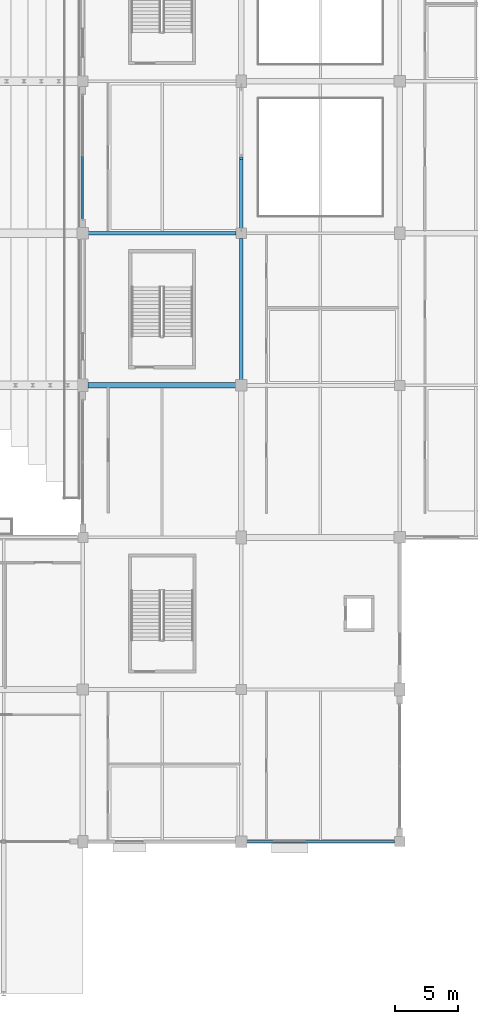
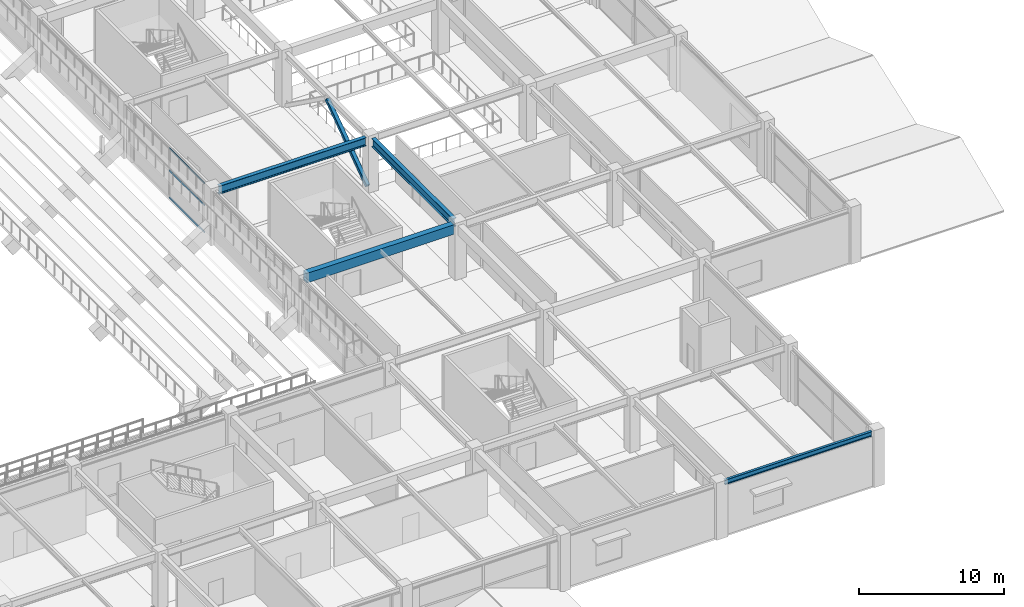
# One storey, part 35 of 134: 4 beams, 4 members, 1 element without a shape of its own.
"""IFC4 building model written with IfcOpenShell, lengths in metres."""

import ifcopenshell
import ifcopenshell.guid

model = None  # the IFC model being written
_history = None  # IfcOwnerHistory: only IFC2X3 demands one
_inside = {}  # id of a spatial element -> (the spatial element, [elements in it])
_under = {}  # id of a project, library or spatial element -> (it, [spatial elements below it])
_declared = {}  # id of a project -> (the project, [libraries it declares])
_typed = {}  # id of a type object -> (the type object, [elements of that type])
_made_of = {}  # id of a material, layer set ... -> (it, [elements and type objects made of it])


def new_model(schema):
    """Start an empty IFC model of exactly this schema.

    Asked for "IFC4X3", IfcOpenShell would pick the latest addendum, in which some entities
    have other attributes; the version numbers below select the first issue.
    IFC2X3 requires an IfcOwnerHistory on every rooted entity: one is made here for all.
    """
    global model, _history
    if schema == "IFC4X3":
        model = ifcopenshell.file(schema_version=(4, 3, 0, 0))
    else:
        model = ifcopenshell.file(schema=schema)
    _inside.clear()
    _under.clear()
    _declared.clear()
    _typed.clear()
    _made_of.clear()
    _history = None
    if model.schema == "IFC2X3":
        org = make("IfcOrganization", Name="unknown")
        user = make(
            "IfcPersonAndOrganization",
            ThePerson=make("IfcPerson", FamilyName="unknown"),
            TheOrganization=org,
        )
        app = make(
            "IfcApplication",
            ApplicationDeveloper=org,
            Version="unknown",
            ApplicationFullName="unknown",
            ApplicationIdentifier="unknown",
        )
        _history = make(
            "IfcOwnerHistory",
            OwningUser=user,
            OwningApplication=app,
            ChangeAction="ADDED",
            CreationDate=0,
        )
    return model


def make(cls, **values):
    """One entity of the class cls with the attributes given. An attribute that is None is left unset."""
    return model.create_entity(
        cls, **{name: value for name, value in values.items() if value is not None}
    )


def rooted(cls, **values):
    """An entity with a GlobalId (a new one), such as an element, a storey or a relation."""
    return make(cls, GlobalId=ifcopenshell.guid.new(), OwnerHistory=_history, **values)


def si_unit(unit_type, name, prefix=None):
    """IfcSIUnit, for example si_unit("LENGTHUNIT", "METRE", prefix="MILLI")."""
    return make("IfcSIUnit", UnitType=unit_type, Prefix=prefix, Name=name)


def assignment(units):
    """IfcUnitAssignment: the units of a project."""
    return None if units is None else make("IfcUnitAssignment", Units=units)


def point(xyz):
    """IfcCartesianPoint."""
    return None if xyz is None else make("IfcCartesianPoint", Coordinates=xyz)


def direction(xyz):
    """IfcDirection."""
    return None if xyz is None else make("IfcDirection", DirectionRatios=xyz)


def frame(location, z_axis=None, x_axis=None):
    """IfcAxis2Placement3D, a coordinate frame: its origin and axes. An axis left out is left unset."""
    return make(
        "IfcAxis2Placement3D",
        Location=point(location),
        Axis=direction(z_axis),
        RefDirection=direction(x_axis),
    )


def frame_2d(location, x_axis=None):
    """IfcAxis2Placement2D, a coordinate frame in the plane: its origin and x axis."""
    return make(
        "IfcAxis2Placement2D", Location=point(location), RefDirection=direction(x_axis)
    )


def origin():
    """The frame at (0, 0, 0) with its axes left unset."""
    return frame((0.0, 0.0, 0.0))


def origin_2d():
    """The frame at (0, 0) in the plane with its x axis left unset."""
    return frame_2d((0.0, 0.0))


def place(relative_to, where):
    """IfcLocalPlacement: puts the frame where relative to a parent placement (None: the world)."""
    return make(
        "IfcLocalPlacement", PlacementRelTo=relative_to, RelativePlacement=where
    )


def context(
    kind, dimensions, precision=None, world=None, true_north=None, identifier=None
):
    """IfcGeometricRepresentationContext, for example the 3D "Model" context."""
    return make(
        "IfcGeometricRepresentationContext",
        ContextIdentifier=identifier,
        ContextType=kind,
        CoordinateSpaceDimension=dimensions,
        Precision=precision,
        WorldCoordinateSystem=world,
        TrueNorth=true_north,
    )


def subcontext(parent, identifier, kind, view, scale=None):
    """IfcGeometricRepresentationSubContext, for example "Body" below "Model"."""
    return make(
        "IfcGeometricRepresentationSubContext",
        ContextIdentifier=identifier,
        ContextType=kind,
        ParentContext=parent,
        TargetScale=scale,
        TargetView=view,
    )


def project(units=None, contexts=None):
    """IfcProject with its units and contexts."""
    return rooted(
        "IfcProject",
        Name="project",
        RepresentationContexts=contexts,
        UnitsInContext=assignment(units),
    )


def spatial(cls, under=None, at=None, **own):
    """A site, building, storey or space (cls), placed at a placement, below another one or the project."""
    s = rooted(cls, ObjectPlacement=at, **own)
    if under is not None:
        _under.setdefault(under.id(), (under, []))[1].append(s)
    return s


def profile(cls, at=None, kind="AREA", **sizes):
    """A parametric profile (cls). Its sizes go by their IFC names, for example OverallWidth=200.0."""
    return make(cls, ProfileType=kind, Position=at, **sizes)


def rectangle(**sizes):
    """IfcRectangleProfileDef."""
    return profile("IfcRectangleProfileDef", **sizes)


def hollow_rectangle(**sizes):
    """IfcRectangleHollowProfileDef."""
    return profile("IfcRectangleHollowProfileDef", **sizes)


def i_section(**sizes):
    """IfcIShapeProfileDef."""
    return profile("IfcIShapeProfileDef", **sizes)


def extrude(swept, where, along, depth):
    """IfcExtrudedAreaSolid: the profile swept, set in the frame where, extruded along a direction by depth."""
    return make(
        "IfcExtrudedAreaSolid",
        SweptArea=swept,
        Position=where,
        ExtrudedDirection=direction(along),
        Depth=depth,
    )


def shape(context_of_items, identifier, shape_type, items):
    """IfcShapeRepresentation: the items that make up one representation, for example the "Body"."""
    return make(
        "IfcShapeRepresentation",
        ContextOfItems=context_of_items,
        RepresentationIdentifier=identifier,
        RepresentationType=shape_type,
        Items=items,
    )


def material(Name=None, Category=None):
    """IfcMaterial."""
    return make("IfcMaterial", Name=Name, Category=Category)


def layer(
    of_material, thickness, ventilated=None, Name=None, Category=None, Priority=None
):
    """IfcMaterialLayer: one layer of a wall or slab, of a material (None: an air gap)."""
    return make(
        "IfcMaterialLayer",
        Material=of_material,
        LayerThickness=thickness,
        IsVentilated=ventilated,
        Name=Name,
        Category=Category,
        Priority=Priority,
    )


def layer_set(layers, Name=None):
    """IfcMaterialLayerSet."""
    return make("IfcMaterialLayerSet", MaterialLayers=layers, LayerSetName=Name)


def material_profile(
    of_material, cross_section, Name=None, Category=None, Priority=None
):
    """IfcMaterialProfile: a cross section and its material."""
    return make(
        "IfcMaterialProfile",
        Name=Name,
        Material=of_material,
        Profile=cross_section,
        Priority=Priority,
        Category=Category,
    )


def profile_set(profiles, Name=None, composite=None):
    """IfcMaterialProfileSet."""
    return make(
        "IfcMaterialProfileSet",
        Name=Name,
        MaterialProfiles=profiles,
        CompositeProfile=composite,
    )


def made_of(thing, what):
    """Note that an element or type object is made of a material, layer set ...; save() writes the relation."""
    if what is not None:
        _made_of.setdefault(what.id(), (what, []))[1].append(thing)
    return thing


def type_object(cls, material=None, **own):
    """A type object (cls), such as IfcWallType, which elements share."""
    return made_of(rooted(cls, **own), material)


def element(
    cls,
    number,
    at=None,
    inside=None,
    cuts=None,
    type_object=None,
    material=None,
    context=None,
    identifier="Body",
    shape_type=None,
    held_by="IfcProductDefinitionShape",
    body=None,
    shapes=None,
    **own,
):
    """One element of the class cls, such as IfcWall. Its Tag is "e" and its number.

    at: its placement. inside: the storey or other place that contains it. cuts: it is an
    opening in that element (IfcRelVoidsElement). A single representation is given by context,
    identifier, shape_type and body (its items); several are given by shapes. held_by: the class
    of the entity that holds the representations. save() writes the other relations.
    """
    e = rooted(cls, Tag="e%d" % number, ObjectPlacement=at, **own)
    if body is not None:
        shapes = [shape(context, identifier, shape_type, body)]
    if shapes is not None:
        e.Representation = make(held_by, Representations=shapes)
    if inside is not None:
        _inside.setdefault(inside.id(), (inside, []))[1].append(e)
    if cuts is not None:
        rooted(
            "IfcRelVoidsElement", RelatingBuildingElement=cuts, RelatedOpeningElement=e
        )
    if type_object is not None:
        _typed.setdefault(type_object.id(), (type_object, []))[1].append(e)
    return made_of(e, material)


def aggregate(whole, parts):
    """IfcRelAggregates: a whole, such as a stair, and the parts it consists of."""
    return rooted("IfcRelAggregates", RelatingObject=whole, RelatedObjects=parts)


def save(model, path):
    """Write the relations noted so far, then the file.

    IfcRelAggregates (storeys below a building ...), IfcRelContainedInSpatialStructure (elements
    in a storey), IfcRelDefinesByType, IfcRelAssociatesMaterial and IfcRelDeclares: one each for
    every whole, place, type object, material and project.
    """
    for whole, parts in _under.values():
        aggregate(whole, parts)
    for where, things in _inside.values():
        rooted(
            "IfcRelContainedInSpatialStructure",
            RelatedElements=things,
            RelatingStructure=where,
        )
    for kind, things in _typed.values():
        rooted("IfcRelDefinesByType", RelatedObjects=things, RelatingType=kind)
    for what, things in _made_of.values():
        rooted("IfcRelAssociatesMaterial", RelatedObjects=things, RelatingMaterial=what)
    for by, libraries in _declared.values():
        rooted("IfcRelDeclares", RelatingContext=by, RelatedDefinitions=libraries)
    model.write(path)


model = new_model("IFC4")

# Units and contexts
model_context = context("Model", 3, precision=1e-05, world=origin(), true_north=direction((0.0, 1.0)))
body_context = subcontext(model_context, "Body", "Model", "MODEL_VIEW")
ifc_project = project(units=[si_unit("LENGTHUNIT", "METRE"), si_unit("AREAUNIT", "SQUARE_METRE"), si_unit("VOLUMEUNIT", "CUBIC_METRE"), si_unit("PLANEANGLEUNIT", "RADIAN"), si_unit("MASSUNIT", "GRAM", prefix="KILO")], contexts=[model_context])

# Site, building, storey
site_placement = place(None, origin())
site = spatial("IfcSite", under=ifc_project, at=site_placement, CompositionType="ELEMENT")
building_placement = place(site_placement, origin())
building = spatial("IfcBuilding", under=site, at=building_placement, Name="Kazenohara Klinker Stadium", CompositionType="ELEMENT")
storey_placement = place(building_placement, frame((0.0, 0.0, 5.39990234375)))
storey = spatial("IfcBuildingStorey", under=building, at=storey_placement, Name="L01", CompositionType="ELEMENT", Elevation=5.39990234375)

# Beams
ifc_material_1 = material(Name="Concrete C40/50", Category="concrete")
ifc_material_profile_1 = material_profile(ifc_material_1, rectangle(XDim=0.449951171875, YDim=0.800048828125, at=origin_2d()), Name="RC-BM-450x800")
ifc_profile_set_1 = profile_set([ifc_material_profile_1], Name="Concrete C40/50")
beam_type_1 = type_object("IfcBeamType", Name="BM-RC03", PredefinedType="BEAM", material=ifc_profile_set_1)
beam_1_placement = place(storey_placement, frame((175.39990234375, 48.0, 4.150146484375), z_axis=(1.0, 0.0, 0.0), x_axis=(0.0, 1.0, 0.0)))
element("IfcBeam", 1, at=beam_1_placement, inside=storey, type_object=beam_type_1, Name="Primary girder BG03 L01 15-16/E", PredefinedType="BEAM", context=body_context, shape_type="SweptSolid", body=[
    extrude(rectangle(XDim=0.449951171875, YDim=0.800048828125, at=origin_2d()), origin(), (0.0, 0.0, 1.0), 11.68017578125),
])
ifc_material_2 = material(Name="Steel S355", Category="steel")
ifc_material_profile_2 = material_profile(ifc_material_2, i_section(OverallWidth=0.199951171875, OverallDepth=0.39990234375, WebThickness=0.008056640625, FlangeThickness=0.012939453125, FilletRadius=0.012939453125, at=origin_2d()), Name="H-400x200x8x13")
ifc_profile_set_2 = profile_set([ifc_material_profile_2], Name="Steel S355")
beam_type_2 = type_object("IfcBeamType", Name="BM-SPD01", PredefinedType="SPANDREL", material=ifc_profile_set_2)
beam_2_placement = place(storey_placement, frame((187.919921875, 12.0, 4.35009765625), z_axis=(1.0, 0.0, 0.0), x_axis=(0.0, 1.0, 0.0)))
element("IfcBeam", 2, at=beam_2_placement, inside=storey, type_object=beam_type_2, Name="Primary girder SP01 L01 16-17/B", PredefinedType="SPANDREL", context=body_context, shape_type="SweptSolid", body=[
    extrude(i_section(OverallWidth=0.199951171875, OverallDepth=0.39990234375, WebThickness=0.008056640625, FlangeThickness=0.012939453125, FilletRadius=0.012939453125, at=origin_2d()), origin(), (0.0, 0.0, 1.0), 11.68017578125),
])
ifc_material_profile_3 = material_profile(ifc_material_2, i_section(OverallWidth=0.300048828125, OverallDepth=0.699951171875, WebThickness=0.012939453125, FlangeThickness=0.02392578125, FilletRadius=0.02197265625, at=origin_2d()), Name="H-700x300x13x24")
ifc_profile_set_3 = profile_set([ifc_material_profile_3], Name="Steel S355")
beam_type_3 = type_object("IfcBeamType", Name="BM-ST03", PredefinedType="BEAM", material=ifc_profile_set_3)
beam_3_placement = place(storey_placement, frame((175.419921875, 60.0, 4.2001953125), z_axis=(1.0, 0.0, 0.0), x_axis=(0.0, 1.0, 0.0)))
element("IfcBeam", 3, at=beam_3_placement, inside=storey, type_object=beam_type_3, Name="Primary girder SB03 L01 15-16/F", PredefinedType="BEAM", context=body_context, shape_type="SweptSolid", body=[
    extrude(i_section(OverallWidth=0.300048828125, OverallDepth=0.699951171875, WebThickness=0.012939453125, FlangeThickness=0.02392578125, FilletRadius=0.02197265625, at=origin_2d()), origin(), (0.0, 0.0, 1.0), 11.68017578125),
])
beam_4_placement = place(storey_placement, frame((187.5, 48.419921875, 4.2001953125), z_axis=(0.0, 1.0, 0.0), x_axis=(-1.0, 0.0, 0.0)))
element("IfcBeam", 4, at=beam_4_placement, inside=storey, type_object=beam_type_3, Name="Primary girder SB03 L01 16/E-F", PredefinedType="BEAM", context=body_context, shape_type="SweptSolid", body=[
    extrude(i_section(OverallWidth=0.300048828125, OverallDepth=0.699951171875, WebThickness=0.012939453125, FlangeThickness=0.02392578125, FilletRadius=0.02197265625, at=origin_2d()), origin(), (0.0, 0.0, 1.0), 11.18017578125),
])

# Curtain wall, members
ifc_material_3 = material(Name="Anodised aluminium and triple glazing", Category="aluminium")
ifc_layer = layer(ifc_material_3, 0.18994140625)
ifc_layer_set = layer_set([ifc_layer], Name="Anodised aluminium and triple glazing")
curtain_wall_type = type_object("IfcCurtainWallType", Name="CW-SYS-05", PredefinedType="USERDEFINED", material=ifc_layer_set)
curtain_wall_placement = place(storey_placement, origin())
curtain_wall = element("IfcCurtainWall", 5, at=curtain_wall_placement, inside=storey, type_object=curtain_wall_type, Name="Unitised facade curtain wall CW05 L01 Y14-5", ObjectType="UNITISED CURTAIN WALL", PredefinedType="USERDEFINED")
ifc_material_4 = material(Name="Anodised aluminium 6063-T6", Category="aluminium")
ifc_material_profile_4 = material_profile(ifc_material_4, rectangle(XDim=0.06494140625, YDim=0.139892578125, at=origin_2d()), Name="ALU-TRN-65x140")
ifc_profile_set_4 = profile_set([ifc_material_profile_4], Name="Anodised aluminium 6063-T6")
member_type_1 = type_object("IfcMemberType", Name="CW-TRN-140", PredefinedType="USERDEFINED", material=ifc_profile_set_4)
member_1_placement = place(storey_placement, frame((175.0, 61.1689453125, 0.03271484375), z_axis=(0.0, 1.0, 0.0), x_axis=(-1.0, 0.0, 0.0)))
member_1 = element("IfcMember", 6, at=member_1_placement, type_object=member_type_1, Name="CW05 transom 1.1", ObjectType="TRANSOM", PredefinedType="USERDEFINED", context=body_context, shape_type="SweptSolid", body=[
    extrude(rectangle(XDim=0.06494140625, YDim=0.139892578125, at=origin_2d()), origin(), (0.0, 0.0, 1.0), 4.823486328125),
])
member_2_placement = place(storey_placement, frame((175.0, 61.1689453125, 2.31005859375), z_axis=(0.0, 1.0, 0.0), x_axis=(-1.0, 0.0, 0.0)))
member_2 = element("IfcMember", 7, at=member_2_placement, type_object=member_type_1, Name="CW05 transom 1.2", ObjectType="TRANSOM", PredefinedType="USERDEFINED", context=body_context, shape_type="SweptSolid", body=[
    extrude(rectangle(XDim=0.06494140625, YDim=0.139892578125, at=origin_2d()), origin(), (0.0, 0.0, 1.0), 4.823486328125),
])
member_3_placement = place(storey_placement, frame((175.0, 61.1689453125, 4.16748046875), z_axis=(0.0, 1.0, 0.0), x_axis=(-1.0, 0.0, 0.0)))
member_3 = element("IfcMember", 8, at=member_3_placement, type_object=member_type_1, Name="CW05 transom 1.3", ObjectType="TRANSOM", PredefinedType="USERDEFINED", context=body_context, shape_type="SweptSolid", body=[
    extrude(rectangle(XDim=0.06494140625, YDim=0.139892578125, at=origin_2d()), origin(), (0.0, 0.0, 1.0), 4.823486328125),
])
aggregate(curtain_wall, [member_1, member_2, member_3])

# Member
ifc_material_profile_5 = material_profile(ifc_material_2, hollow_rectangle(XDim=0.300048828125, YDim=0.300048828125, WallThickness=0.011962890625, InnerFilletRadius=0.011962890625, OuterFilletRadius=0.02392578125, at=origin_2d()), Name="SHS-300x300x12")
ifc_profile_set_5 = profile_set([ifc_material_profile_5], Name="Steel S355")
member_type_2 = type_object("IfcMemberType", Name="MEM-BRC06", PredefinedType="BRACE", material=ifc_profile_set_5)
member_4_placement = place(storey_placement, frame((187.5, 60.3798828125, 0.050048828125), z_axis=(0.0, 0.815473221178, 0.578794804349), x_axis=(-1.0, 0.0, 0.0)))
element("IfcMember", 9, at=member_4_placement, inside=storey, type_object=member_type_2, Name="Concentric brace BR06 L01 16/F A", PredefinedType="BRACE", context=body_context, shape_type="SweptSolid", body=[
    extrude(hollow_rectangle(XDim=0.300048828125, YDim=0.300048828125, WallThickness=0.011962890625, InnerFilletRadius=0.011962890625, OuterFilletRadius=0.02392578125, at=origin_2d()), origin(), (0.0, 0.0, 1.0), 6.793701171875),
])

save(model, "model.ifc")
